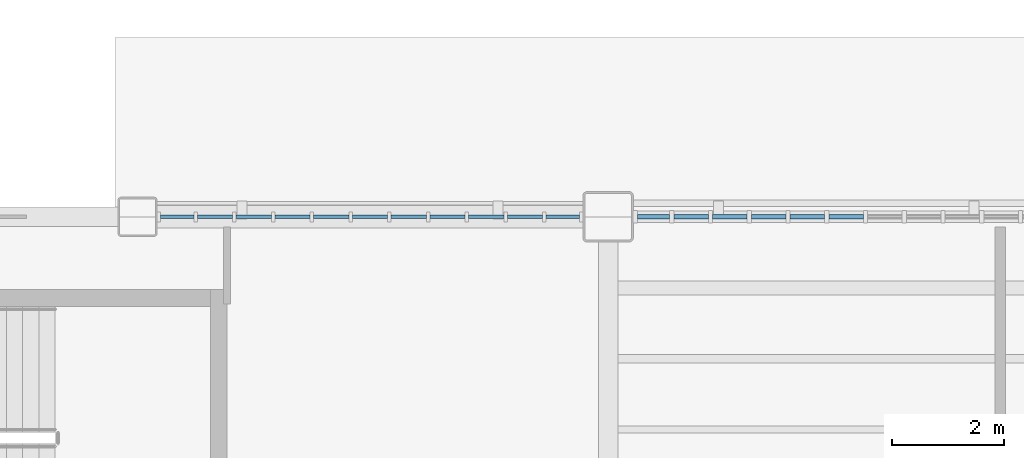
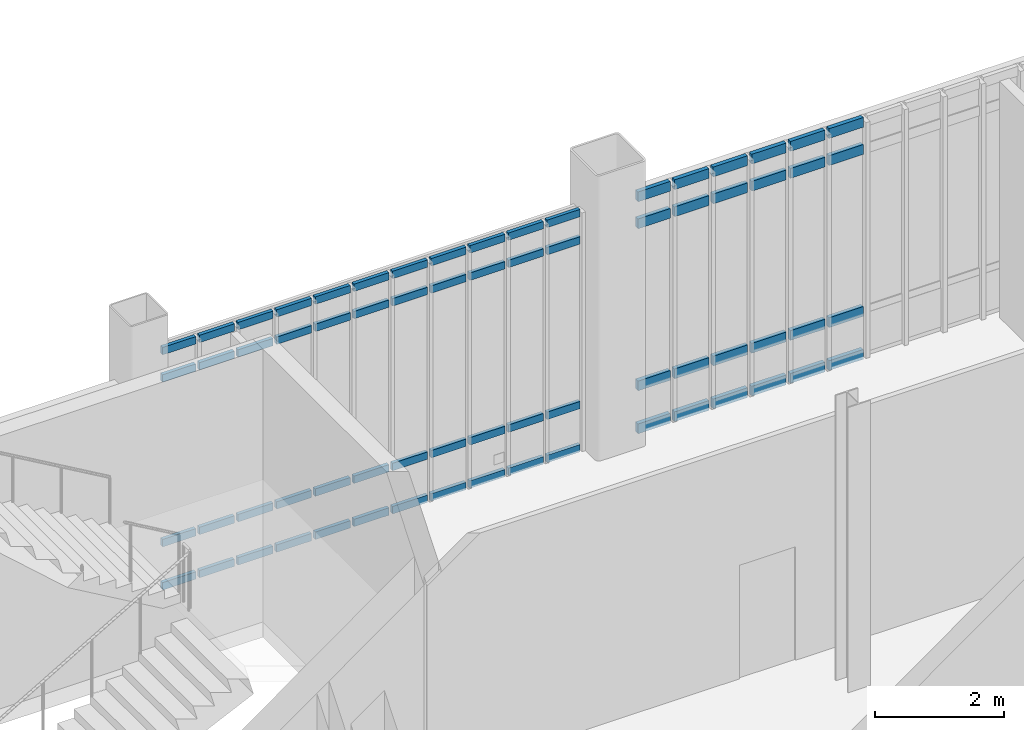
# One storey, part 43 of 111: 68 members, 2 elements without a shape of their own.
"""IFC4 building model written with IfcOpenShell, lengths in metres."""

from ifc_helpers import new_model, si_unit, direction, frame, origin, origin_2d, place, context, subcontext, project, spatial, rectangle, extrude, material, material_profile, profile_set, type_object, element, aggregate, save


model = new_model("IFC4")

# Units and contexts
model_context = context("Model", 3, precision=1e-05, world=origin(), true_north=direction((0.0, 1.0)))
body_context = subcontext(model_context, "Body", "Model", "MODEL_VIEW")
ifc_project = project(units=[si_unit("LENGTHUNIT", "METRE"), si_unit("AREAUNIT", "SQUARE_METRE"), si_unit("VOLUMEUNIT", "CUBIC_METRE"), si_unit("PLANEANGLEUNIT", "RADIAN"), si_unit("MASSUNIT", "GRAM", prefix="KILO")], contexts=[model_context])

# Site, building, storey
site_placement = place(None, origin())
site = spatial("IfcSite", under=ifc_project, at=site_placement, CompositionType="ELEMENT")
building_placement = place(site_placement, origin())
building = spatial("IfcBuilding", under=site, at=building_placement, Name="Larkvane Passage Sports Hall", CompositionType="ELEMENT")
storey_placement = place(building_placement, origin())
storey = spatial("IfcBuildingStorey", under=building, at=storey_placement, Name="L00", CompositionType="ELEMENT", Elevation=0.0)

# Curtain wall, members
ifc_material_1 = material(Name="Thermally broken aluminium and low-E glazing", Category="aluminium")
curtain_wall_type_1 = type_object("IfcCurtainWallType", Name="CW-UNIT-COURT", PredefinedType="USERDEFINED", material=ifc_material_1)
curtain_wall_1_placement = place(storey_placement, origin())
curtain_wall_1 = element("IfcCurtainWall", 1, at=curtain_wall_1_placement, inside=storey, type_object=curtain_wall_type_1, Name="Curtain wall CW5-L00-008", ObjectType="UNITISED CURTAIN WALL", PredefinedType="USERDEFINED")
ifc_material_2 = material(Name="Anodised aluminium 6063-T6", Category="aluminium")
ifc_material_profile_1 = material_profile(ifc_material_2, rectangle(XDim=0.06494140625, YDim=0.139892578125, at=origin_2d()), Name="ALU-TRN-65x140")
ifc_profile_set_1 = profile_set([ifc_material_profile_1], Name="Anodised aluminium 6063-T6")
member_type_1 = type_object("IfcMemberType", Name="CW-TRN-65x140", PredefinedType="USERDEFINED", material=ifc_profile_set_1)
member_1_placement = place(storey_placement, frame((43.611083984375, 91.60009765625, 0.032470703125), z_axis=(1.0, 0.0, 0.0), x_axis=(0.0, 1.0, 0.0)))
member_1 = element("IfcMember", 2, at=member_1_placement, type_object=member_type_1, Name="CW-01 transom 1.1", ObjectType="TRANSOM", PredefinedType="USERDEFINED", context=body_context, shape_type="SweptSolid", body=[
    extrude(rectangle(XDim=0.06494140625, YDim=0.139892578125, at=origin_2d()), origin(), (0.0, 0.0, 1.0), 0.593994140625),
])
member_2_placement = place(storey_placement, frame((43.611083984375, 91.60009765625, 0.85009765625), z_axis=(1.0, 0.0, 0.0), x_axis=(0.0, 1.0, 0.0)))
member_2 = element("IfcMember", 3, at=member_2_placement, type_object=member_type_1, Name="CW-01 transom 1.2", ObjectType="TRANSOM", PredefinedType="USERDEFINED", context=body_context, shape_type="SweptSolid", body=[
    extrude(rectangle(XDim=0.06494140625, YDim=0.139892578125, at=origin_2d()), origin(), (0.0, 0.0, 1.0), 0.593994140625),
])
member_3_placement = place(storey_placement, frame((43.611083984375, 91.60009765625, 3.968017578125), z_axis=(1.0, 0.0, 0.0), x_axis=(0.0, 1.0, 0.0)))
member_3 = element("IfcMember", 4, at=member_3_placement, type_object=member_type_1, Name="CW-01 transom 1.3", ObjectType="TRANSOM", PredefinedType="USERDEFINED", context=body_context, shape_type="SweptSolid", body=[
    extrude(rectangle(XDim=0.06494140625, YDim=0.139892578125, at=origin_2d()), origin(), (0.0, 0.0, 1.0), 0.593994140625),
])
member_4_placement = place(storey_placement, frame((43.611083984375, 91.60009765625, 4.485595703125), z_axis=(1.0, 0.0, 0.0), x_axis=(0.0, 1.0, 0.0)))
member_4 = element("IfcMember", 5, at=member_4_placement, type_object=member_type_1, Name="CW-01 transom 1.4", ObjectType="TRANSOM", PredefinedType="USERDEFINED", context=body_context, shape_type="SweptSolid", body=[
    extrude(rectangle(XDim=0.06494140625, YDim=0.139892578125, at=origin_2d()), origin(), (0.0, 0.0, 1.0), 0.593994140625),
])
member_5_placement = place(storey_placement, frame((44.27001953125, 91.60009765625, 0.032470703125), z_axis=(1.0, 0.0, 0.0), x_axis=(0.0, 1.0, 0.0)))
member_5 = element("IfcMember", 6, at=member_5_placement, type_object=member_type_1, Name="CW-01 transom 2.1", ObjectType="TRANSOM", PredefinedType="USERDEFINED", context=body_context, shape_type="SweptSolid", body=[
    extrude(rectangle(XDim=0.06494140625, YDim=0.139892578125, at=origin_2d()), origin(), (0.0, 0.0, 1.0), 0.626708984375),
])
member_6_placement = place(storey_placement, frame((44.27001953125, 91.60009765625, 0.85009765625), z_axis=(1.0, 0.0, 0.0), x_axis=(0.0, 1.0, 0.0)))
member_6 = element("IfcMember", 7, at=member_6_placement, type_object=member_type_1, Name="CW-01 transom 2.2", ObjectType="TRANSOM", PredefinedType="USERDEFINED", context=body_context, shape_type="SweptSolid", body=[
    extrude(rectangle(XDim=0.06494140625, YDim=0.139892578125, at=origin_2d()), origin(), (0.0, 0.0, 1.0), 0.626708984375),
])
member_7_placement = place(storey_placement, frame((44.27001953125, 91.60009765625, 3.968017578125), z_axis=(1.0, 0.0, 0.0), x_axis=(0.0, 1.0, 0.0)))
member_7 = element("IfcMember", 8, at=member_7_placement, type_object=member_type_1, Name="CW-01 transom 2.3", ObjectType="TRANSOM", PredefinedType="USERDEFINED", context=body_context, shape_type="SweptSolid", body=[
    extrude(rectangle(XDim=0.06494140625, YDim=0.139892578125, at=origin_2d()), origin(), (0.0, 0.0, 1.0), 0.626708984375),
])
member_8_placement = place(storey_placement, frame((44.27001953125, 91.60009765625, 4.485595703125), z_axis=(1.0, 0.0, 0.0), x_axis=(0.0, 1.0, 0.0)))
member_8 = element("IfcMember", 9, at=member_8_placement, type_object=member_type_1, Name="CW-01 transom 2.4", ObjectType="TRANSOM", PredefinedType="USERDEFINED", context=body_context, shape_type="SweptSolid", body=[
    extrude(rectangle(XDim=0.06494140625, YDim=0.139892578125, at=origin_2d()), origin(), (0.0, 0.0, 1.0), 0.626708984375),
])
member_9_placement = place(storey_placement, frame((44.961669921875, 91.60009765625, 0.032470703125), z_axis=(1.0, 0.0, 0.0), x_axis=(0.0, 1.0, 0.0)))
member_9 = element("IfcMember", 10, at=member_9_placement, type_object=member_type_1, Name="CW-01 transom 3.1", ObjectType="TRANSOM", PredefinedType="USERDEFINED", context=body_context, shape_type="SweptSolid", body=[
    extrude(rectangle(XDim=0.06494140625, YDim=0.139892578125, at=origin_2d()), origin(), (0.0, 0.0, 1.0), 0.626708984375),
])
member_10_placement = place(storey_placement, frame((44.961669921875, 91.60009765625, 0.85009765625), z_axis=(1.0, 0.0, 0.0), x_axis=(0.0, 1.0, 0.0)))
member_10 = element("IfcMember", 11, at=member_10_placement, type_object=member_type_1, Name="CW-01 transom 3.2", ObjectType="TRANSOM", PredefinedType="USERDEFINED", context=body_context, shape_type="SweptSolid", body=[
    extrude(rectangle(XDim=0.06494140625, YDim=0.139892578125, at=origin_2d()), origin(), (0.0, 0.0, 1.0), 0.626708984375),
])
member_11_placement = place(storey_placement, frame((44.961669921875, 91.60009765625, 3.968017578125), z_axis=(1.0, 0.0, 0.0), x_axis=(0.0, 1.0, 0.0)))
member_11 = element("IfcMember", 12, at=member_11_placement, type_object=member_type_1, Name="CW-01 transom 3.3", ObjectType="TRANSOM", PredefinedType="USERDEFINED", context=body_context, shape_type="SweptSolid", body=[
    extrude(rectangle(XDim=0.06494140625, YDim=0.139892578125, at=origin_2d()), origin(), (0.0, 0.0, 1.0), 0.626708984375),
])
member_12_placement = place(storey_placement, frame((44.961669921875, 91.60009765625, 4.485595703125), z_axis=(1.0, 0.0, 0.0), x_axis=(0.0, 1.0, 0.0)))
member_12 = element("IfcMember", 13, at=member_12_placement, type_object=member_type_1, Name="CW-01 transom 3.4", ObjectType="TRANSOM", PredefinedType="USERDEFINED", context=body_context, shape_type="SweptSolid", body=[
    extrude(rectangle(XDim=0.06494140625, YDim=0.139892578125, at=origin_2d()), origin(), (0.0, 0.0, 1.0), 0.626708984375),
])
member_13_placement = place(storey_placement, frame((45.6533203125, 91.60009765625, 0.032470703125), z_axis=(1.0, 0.0, 0.0), x_axis=(0.0, 1.0, 0.0)))
member_13 = element("IfcMember", 14, at=member_13_placement, type_object=member_type_1, Name="CW-01 transom 4.1", ObjectType="TRANSOM", PredefinedType="USERDEFINED", context=body_context, shape_type="SweptSolid", body=[
    extrude(rectangle(XDim=0.06494140625, YDim=0.139892578125, at=origin_2d()), origin(), (0.0, 0.0, 1.0), 0.626708984375),
])
member_14_placement = place(storey_placement, frame((45.6533203125, 91.60009765625, 0.85009765625), z_axis=(1.0, 0.0, 0.0), x_axis=(0.0, 1.0, 0.0)))
member_14 = element("IfcMember", 15, at=member_14_placement, type_object=member_type_1, Name="CW-01 transom 4.2", ObjectType="TRANSOM", PredefinedType="USERDEFINED", context=body_context, shape_type="SweptSolid", body=[
    extrude(rectangle(XDim=0.06494140625, YDim=0.139892578125, at=origin_2d()), origin(), (0.0, 0.0, 1.0), 0.626708984375),
])
member_15_placement = place(storey_placement, frame((45.6533203125, 91.60009765625, 3.968017578125), z_axis=(1.0, 0.0, 0.0), x_axis=(0.0, 1.0, 0.0)))
member_15 = element("IfcMember", 16, at=member_15_placement, type_object=member_type_1, Name="CW-01 transom 4.3", ObjectType="TRANSOM", PredefinedType="USERDEFINED", context=body_context, shape_type="SweptSolid", body=[
    extrude(rectangle(XDim=0.06494140625, YDim=0.139892578125, at=origin_2d()), origin(), (0.0, 0.0, 1.0), 0.626708984375),
])
member_16_placement = place(storey_placement, frame((45.6533203125, 91.60009765625, 4.485595703125), z_axis=(1.0, 0.0, 0.0), x_axis=(0.0, 1.0, 0.0)))
member_16 = element("IfcMember", 17, at=member_16_placement, type_object=member_type_1, Name="CW-01 transom 4.4", ObjectType="TRANSOM", PredefinedType="USERDEFINED", context=body_context, shape_type="SweptSolid", body=[
    extrude(rectangle(XDim=0.06494140625, YDim=0.139892578125, at=origin_2d()), origin(), (0.0, 0.0, 1.0), 0.626708984375),
])
member_17_placement = place(storey_placement, frame((46.344970703125, 91.60009765625, 0.032470703125), z_axis=(1.0, 0.0, 0.0), x_axis=(0.0, 1.0, 0.0)))
member_17 = element("IfcMember", 18, at=member_17_placement, type_object=member_type_1, Name="CW-01 transom 5.1", ObjectType="TRANSOM", PredefinedType="USERDEFINED", context=body_context, shape_type="SweptSolid", body=[
    extrude(rectangle(XDim=0.06494140625, YDim=0.139892578125, at=origin_2d()), origin(), (0.0, 0.0, 1.0), 0.626708984375),
])
member_18_placement = place(storey_placement, frame((46.344970703125, 91.60009765625, 0.85009765625), z_axis=(1.0, 0.0, 0.0), x_axis=(0.0, 1.0, 0.0)))
member_18 = element("IfcMember", 19, at=member_18_placement, type_object=member_type_1, Name="CW-01 transom 5.2", ObjectType="TRANSOM", PredefinedType="USERDEFINED", context=body_context, shape_type="SweptSolid", body=[
    extrude(rectangle(XDim=0.06494140625, YDim=0.139892578125, at=origin_2d()), origin(), (0.0, 0.0, 1.0), 0.626708984375),
])
member_19_placement = place(storey_placement, frame((46.344970703125, 91.60009765625, 3.968017578125), z_axis=(1.0, 0.0, 0.0), x_axis=(0.0, 1.0, 0.0)))
member_19 = element("IfcMember", 20, at=member_19_placement, type_object=member_type_1, Name="CW-01 transom 5.3", ObjectType="TRANSOM", PredefinedType="USERDEFINED", context=body_context, shape_type="SweptSolid", body=[
    extrude(rectangle(XDim=0.06494140625, YDim=0.139892578125, at=origin_2d()), origin(), (0.0, 0.0, 1.0), 0.626708984375),
])
member_20_placement = place(storey_placement, frame((46.344970703125, 91.60009765625, 4.485595703125), z_axis=(1.0, 0.0, 0.0), x_axis=(0.0, 1.0, 0.0)))
member_20 = element("IfcMember", 21, at=member_20_placement, type_object=member_type_1, Name="CW-01 transom 5.4", ObjectType="TRANSOM", PredefinedType="USERDEFINED", context=body_context, shape_type="SweptSolid", body=[
    extrude(rectangle(XDim=0.06494140625, YDim=0.139892578125, at=origin_2d()), origin(), (0.0, 0.0, 1.0), 0.626708984375),
])
member_21_placement = place(storey_placement, frame((47.03662109375, 91.60009765625, 0.032470703125), z_axis=(1.0, 0.0, 0.0), x_axis=(0.0, 1.0, 0.0)))
member_21 = element("IfcMember", 22, at=member_21_placement, type_object=member_type_1, Name="CW-01 transom 6.1", ObjectType="TRANSOM", PredefinedType="USERDEFINED", context=body_context, shape_type="SweptSolid", body=[
    extrude(rectangle(XDim=0.06494140625, YDim=0.139892578125, at=origin_2d()), origin(), (0.0, 0.0, 1.0), 0.626708984375),
])
member_22_placement = place(storey_placement, frame((47.03662109375, 91.60009765625, 0.85009765625), z_axis=(1.0, 0.0, 0.0), x_axis=(0.0, 1.0, 0.0)))
member_22 = element("IfcMember", 23, at=member_22_placement, type_object=member_type_1, Name="CW-01 transom 6.2", ObjectType="TRANSOM", PredefinedType="USERDEFINED", context=body_context, shape_type="SweptSolid", body=[
    extrude(rectangle(XDim=0.06494140625, YDim=0.139892578125, at=origin_2d()), origin(), (0.0, 0.0, 1.0), 0.626708984375),
])
member_23_placement = place(storey_placement, frame((47.03662109375, 91.60009765625, 3.968017578125), z_axis=(1.0, 0.0, 0.0), x_axis=(0.0, 1.0, 0.0)))
member_23 = element("IfcMember", 24, at=member_23_placement, type_object=member_type_1, Name="CW-01 transom 6.3", ObjectType="TRANSOM", PredefinedType="USERDEFINED", context=body_context, shape_type="SweptSolid", body=[
    extrude(rectangle(XDim=0.06494140625, YDim=0.139892578125, at=origin_2d()), origin(), (0.0, 0.0, 1.0), 0.626708984375),
])
member_24_placement = place(storey_placement, frame((47.03662109375, 91.60009765625, 4.485595703125), z_axis=(1.0, 0.0, 0.0), x_axis=(0.0, 1.0, 0.0)))
member_24 = element("IfcMember", 25, at=member_24_placement, type_object=member_type_1, Name="CW-01 transom 6.4", ObjectType="TRANSOM", PredefinedType="USERDEFINED", context=body_context, shape_type="SweptSolid", body=[
    extrude(rectangle(XDim=0.06494140625, YDim=0.139892578125, at=origin_2d()), origin(), (0.0, 0.0, 1.0), 0.626708984375),
])
member_25_placement = place(storey_placement, frame((47.728271484375, 91.60009765625, 0.032470703125), z_axis=(1.0, 0.0, 0.0), x_axis=(0.0, 1.0, 0.0)))
member_25 = element("IfcMember", 26, at=member_25_placement, type_object=member_type_1, Name="CW-01 transom 7.1", ObjectType="TRANSOM", PredefinedType="USERDEFINED", context=body_context, shape_type="SweptSolid", body=[
    extrude(rectangle(XDim=0.06494140625, YDim=0.139892578125, at=origin_2d()), origin(), (0.0, 0.0, 1.0), 0.626708984375),
])
member_26_placement = place(storey_placement, frame((47.728271484375, 91.60009765625, 0.85009765625), z_axis=(1.0, 0.0, 0.0), x_axis=(0.0, 1.0, 0.0)))
member_26 = element("IfcMember", 27, at=member_26_placement, type_object=member_type_1, Name="CW-01 transom 7.2", ObjectType="TRANSOM", PredefinedType="USERDEFINED", context=body_context, shape_type="SweptSolid", body=[
    extrude(rectangle(XDim=0.06494140625, YDim=0.139892578125, at=origin_2d()), origin(), (0.0, 0.0, 1.0), 0.626708984375),
])
member_27_placement = place(storey_placement, frame((47.728271484375, 91.60009765625, 3.968017578125), z_axis=(1.0, 0.0, 0.0), x_axis=(0.0, 1.0, 0.0)))
member_27 = element("IfcMember", 28, at=member_27_placement, type_object=member_type_1, Name="CW-01 transom 7.3", ObjectType="TRANSOM", PredefinedType="USERDEFINED", context=body_context, shape_type="SweptSolid", body=[
    extrude(rectangle(XDim=0.06494140625, YDim=0.139892578125, at=origin_2d()), origin(), (0.0, 0.0, 1.0), 0.626708984375),
])
member_28_placement = place(storey_placement, frame((47.728271484375, 91.60009765625, 4.485595703125), z_axis=(1.0, 0.0, 0.0), x_axis=(0.0, 1.0, 0.0)))
member_28 = element("IfcMember", 29, at=member_28_placement, type_object=member_type_1, Name="CW-01 transom 7.4", ObjectType="TRANSOM", PredefinedType="USERDEFINED", context=body_context, shape_type="SweptSolid", body=[
    extrude(rectangle(XDim=0.06494140625, YDim=0.139892578125, at=origin_2d()), origin(), (0.0, 0.0, 1.0), 0.626708984375),
])
member_29_placement = place(storey_placement, frame((48.419921875, 91.60009765625, 0.032470703125), z_axis=(1.0, 0.0, 0.0), x_axis=(0.0, 1.0, 0.0)))
member_29 = element("IfcMember", 30, at=member_29_placement, type_object=member_type_1, Name="CW-01 transom 8.1", ObjectType="TRANSOM", PredefinedType="USERDEFINED", context=body_context, shape_type="SweptSolid", body=[
    extrude(rectangle(XDim=0.06494140625, YDim=0.139892578125, at=origin_2d()), origin(), (0.0, 0.0, 1.0), 0.626708984375),
])
member_30_placement = place(storey_placement, frame((48.419921875, 91.60009765625, 0.85009765625), z_axis=(1.0, 0.0, 0.0), x_axis=(0.0, 1.0, 0.0)))
member_30 = element("IfcMember", 31, at=member_30_placement, type_object=member_type_1, Name="CW-01 transom 8.2", ObjectType="TRANSOM", PredefinedType="USERDEFINED", context=body_context, shape_type="SweptSolid", body=[
    extrude(rectangle(XDim=0.06494140625, YDim=0.139892578125, at=origin_2d()), origin(), (0.0, 0.0, 1.0), 0.626708984375),
])
member_31_placement = place(storey_placement, frame((48.419921875, 91.60009765625, 3.968017578125), z_axis=(1.0, 0.0, 0.0), x_axis=(0.0, 1.0, 0.0)))
member_31 = element("IfcMember", 32, at=member_31_placement, type_object=member_type_1, Name="CW-01 transom 8.3", ObjectType="TRANSOM", PredefinedType="USERDEFINED", context=body_context, shape_type="SweptSolid", body=[
    extrude(rectangle(XDim=0.06494140625, YDim=0.139892578125, at=origin_2d()), origin(), (0.0, 0.0, 1.0), 0.626708984375),
])
member_32_placement = place(storey_placement, frame((48.419921875, 91.60009765625, 4.485595703125), z_axis=(1.0, 0.0, 0.0), x_axis=(0.0, 1.0, 0.0)))
member_32 = element("IfcMember", 33, at=member_32_placement, type_object=member_type_1, Name="CW-01 transom 8.4", ObjectType="TRANSOM", PredefinedType="USERDEFINED", context=body_context, shape_type="SweptSolid", body=[
    extrude(rectangle(XDim=0.06494140625, YDim=0.139892578125, at=origin_2d()), origin(), (0.0, 0.0, 1.0), 0.626708984375),
])
member_33_placement = place(storey_placement, frame((49.111572265625, 91.60009765625, 0.032470703125), z_axis=(1.0, 0.0, 0.0), x_axis=(0.0, 1.0, 0.0)))
member_33 = element("IfcMember", 34, at=member_33_placement, type_object=member_type_1, Name="CW-01 transom 9.1", ObjectType="TRANSOM", PredefinedType="USERDEFINED", context=body_context, shape_type="SweptSolid", body=[
    extrude(rectangle(XDim=0.06494140625, YDim=0.139892578125, at=origin_2d()), origin(), (0.0, 0.0, 1.0), 0.626708984375),
])
member_34_placement = place(storey_placement, frame((49.111572265625, 91.60009765625, 0.85009765625), z_axis=(1.0, 0.0, 0.0), x_axis=(0.0, 1.0, 0.0)))
member_34 = element("IfcMember", 35, at=member_34_placement, type_object=member_type_1, Name="CW-01 transom 9.2", ObjectType="TRANSOM", PredefinedType="USERDEFINED", context=body_context, shape_type="SweptSolid", body=[
    extrude(rectangle(XDim=0.06494140625, YDim=0.139892578125, at=origin_2d()), origin(), (0.0, 0.0, 1.0), 0.626708984375),
])
member_35_placement = place(storey_placement, frame((49.111572265625, 91.60009765625, 3.968017578125), z_axis=(1.0, 0.0, 0.0), x_axis=(0.0, 1.0, 0.0)))
member_35 = element("IfcMember", 36, at=member_35_placement, type_object=member_type_1, Name="CW-01 transom 9.3", ObjectType="TRANSOM", PredefinedType="USERDEFINED", context=body_context, shape_type="SweptSolid", body=[
    extrude(rectangle(XDim=0.06494140625, YDim=0.139892578125, at=origin_2d()), origin(), (0.0, 0.0, 1.0), 0.626708984375),
])
member_36_placement = place(storey_placement, frame((49.111572265625, 91.60009765625, 4.485595703125), z_axis=(1.0, 0.0, 0.0), x_axis=(0.0, 1.0, 0.0)))
member_36 = element("IfcMember", 37, at=member_36_placement, type_object=member_type_1, Name="CW-01 transom 9.4", ObjectType="TRANSOM", PredefinedType="USERDEFINED", context=body_context, shape_type="SweptSolid", body=[
    extrude(rectangle(XDim=0.06494140625, YDim=0.139892578125, at=origin_2d()), origin(), (0.0, 0.0, 1.0), 0.626708984375),
])
member_37_placement = place(storey_placement, frame((49.80322265625, 91.60009765625, 0.032470703125), z_axis=(1.0, 0.0, 0.0), x_axis=(0.0, 1.0, 0.0)))
member_37 = element("IfcMember", 38, at=member_37_placement, type_object=member_type_1, Name="CW-01 transom 10.1", ObjectType="TRANSOM", PredefinedType="USERDEFINED", context=body_context, shape_type="SweptSolid", body=[
    extrude(rectangle(XDim=0.06494140625, YDim=0.139892578125, at=origin_2d()), origin(), (0.0, 0.0, 1.0), 0.626708984375),
])
member_38_placement = place(storey_placement, frame((49.80322265625, 91.60009765625, 0.85009765625), z_axis=(1.0, 0.0, 0.0), x_axis=(0.0, 1.0, 0.0)))
member_38 = element("IfcMember", 39, at=member_38_placement, type_object=member_type_1, Name="CW-01 transom 10.2", ObjectType="TRANSOM", PredefinedType="USERDEFINED", context=body_context, shape_type="SweptSolid", body=[
    extrude(rectangle(XDim=0.06494140625, YDim=0.139892578125, at=origin_2d()), origin(), (0.0, 0.0, 1.0), 0.626708984375),
])
member_39_placement = place(storey_placement, frame((49.80322265625, 91.60009765625, 3.968017578125), z_axis=(1.0, 0.0, 0.0), x_axis=(0.0, 1.0, 0.0)))
member_39 = element("IfcMember", 40, at=member_39_placement, type_object=member_type_1, Name="CW-01 transom 10.3", ObjectType="TRANSOM", PredefinedType="USERDEFINED", context=body_context, shape_type="SweptSolid", body=[
    extrude(rectangle(XDim=0.06494140625, YDim=0.139892578125, at=origin_2d()), origin(), (0.0, 0.0, 1.0), 0.626708984375),
])
member_40_placement = place(storey_placement, frame((49.80322265625, 91.60009765625, 4.485595703125), z_axis=(1.0, 0.0, 0.0), x_axis=(0.0, 1.0, 0.0)))
member_40 = element("IfcMember", 41, at=member_40_placement, type_object=member_type_1, Name="CW-01 transom 10.4", ObjectType="TRANSOM", PredefinedType="USERDEFINED", context=body_context, shape_type="SweptSolid", body=[
    extrude(rectangle(XDim=0.06494140625, YDim=0.139892578125, at=origin_2d()), origin(), (0.0, 0.0, 1.0), 0.626708984375),
])
member_41_placement = place(storey_placement, frame((50.494873046875, 91.60009765625, 0.032470703125), z_axis=(1.0, 0.0, 0.0), x_axis=(0.0, 1.0, 0.0)))
member_41 = element("IfcMember", 42, at=member_41_placement, type_object=member_type_1, Name="CW-01 transom 11.1", ObjectType="TRANSOM", PredefinedType="USERDEFINED", context=body_context, shape_type="SweptSolid", body=[
    extrude(rectangle(XDim=0.06494140625, YDim=0.139892578125, at=origin_2d()), origin(), (0.0, 0.0, 1.0), 0.59423828125),
])
member_42_placement = place(storey_placement, frame((50.494873046875, 91.60009765625, 0.85009765625), z_axis=(1.0, 0.0, 0.0), x_axis=(0.0, 1.0, 0.0)))
member_42 = element("IfcMember", 43, at=member_42_placement, type_object=member_type_1, Name="CW-01 transom 11.2", ObjectType="TRANSOM", PredefinedType="USERDEFINED", context=body_context, shape_type="SweptSolid", body=[
    extrude(rectangle(XDim=0.06494140625, YDim=0.139892578125, at=origin_2d()), origin(), (0.0, 0.0, 1.0), 0.59423828125),
])
member_43_placement = place(storey_placement, frame((50.494873046875, 91.60009765625, 3.968017578125), z_axis=(1.0, 0.0, 0.0), x_axis=(0.0, 1.0, 0.0)))
member_43 = element("IfcMember", 44, at=member_43_placement, type_object=member_type_1, Name="CW-01 transom 11.3", ObjectType="TRANSOM", PredefinedType="USERDEFINED", context=body_context, shape_type="SweptSolid", body=[
    extrude(rectangle(XDim=0.06494140625, YDim=0.139892578125, at=origin_2d()), origin(), (0.0, 0.0, 1.0), 0.59423828125),
])
member_44_placement = place(storey_placement, frame((50.494873046875, 91.60009765625, 4.485595703125), z_axis=(1.0, 0.0, 0.0), x_axis=(0.0, 1.0, 0.0)))
member_44 = element("IfcMember", 45, at=member_44_placement, type_object=member_type_1, Name="CW-01 transom 11.4", ObjectType="TRANSOM", PredefinedType="USERDEFINED", context=body_context, shape_type="SweptSolid", body=[
    extrude(rectangle(XDim=0.06494140625, YDim=0.139892578125, at=origin_2d()), origin(), (0.0, 0.0, 1.0), 0.59423828125),
])
aggregate(curtain_wall_1, [member_1, member_2, member_3, member_4, member_5, member_6, member_7, member_8, member_9, member_10, member_11, member_12, member_13, member_14, member_15, member_16, member_17, member_18, member_19, member_20, member_21, member_22, member_23, member_24, member_25, member_26, member_27, member_28, member_29, member_30, member_31, member_32, member_33, member_34, member_35, member_36, member_37, member_38, member_39, member_40, member_41, member_42, member_43, member_44])

curtain_wall_type_2 = type_object("IfcCurtainWallType", Name="CW-UNIT-VEIL", PredefinedType="USERDEFINED", material=ifc_material_1)
curtain_wall_2_placement = place(storey_placement, origin())
curtain_wall_2 = element("IfcCurtainWall", 46, at=curtain_wall_2_placement, inside=storey, type_object=curtain_wall_type_2, Name="Curtain wall CW5-L00-009", ObjectType="UNITISED CURTAIN WALL", PredefinedType="USERDEFINED")
ifc_material_profile_2 = material_profile(ifc_material_2, rectangle(XDim=0.074951171875, YDim=0.18505859375, at=origin_2d()), Name="ALU-TRN-75x185")
ifc_profile_set_2 = profile_set([ifc_material_profile_2], Name="Anodised aluminium 6063-T6")
member_type_2 = type_object("IfcMemberType", Name="CW-TRN-75x185", PredefinedType="USERDEFINED", material=ifc_profile_set_2)
member_45_placement = place(storey_placement, frame((52.12109375, 91.60009765625, 0.03759765625), z_axis=(1.0, 0.0, 0.0), x_axis=(0.0, 1.0, 0.0)))
member_45 = element("IfcMember", 47, at=member_45_placement, type_object=member_type_2, Name="CW-02 transom 1.1", ObjectType="TRANSOM", PredefinedType="USERDEFINED", context=body_context, shape_type="SweptSolid", body=[
    extrude(rectangle(XDim=0.074951171875, YDim=0.18505859375, at=origin_2d()), origin(), (0.0, 0.0, 1.0), 0.5791015625),
])
member_46_placement = place(storey_placement, frame((52.12109375, 91.60009765625, 0.85009765625), z_axis=(1.0, 0.0, 0.0), x_axis=(0.0, 1.0, 0.0)))
member_46 = element("IfcMember", 48, at=member_46_placement, type_object=member_type_2, Name="CW-02 transom 1.2", ObjectType="TRANSOM", PredefinedType="USERDEFINED", context=body_context, shape_type="SweptSolid", body=[
    extrude(rectangle(XDim=0.074951171875, YDim=0.18505859375, at=origin_2d()), origin(), (0.0, 0.0, 1.0), 0.5791015625),
])
member_47_placement = place(storey_placement, frame((52.12109375, 91.60009765625, 3.91796875), z_axis=(1.0, 0.0, 0.0), x_axis=(0.0, 1.0, 0.0)))
member_47 = element("IfcMember", 49, at=member_47_placement, type_object=member_type_2, Name="CW-02 transom 1.3", ObjectType="TRANSOM", PredefinedType="USERDEFINED", context=body_context, shape_type="SweptSolid", body=[
    extrude(rectangle(XDim=0.074951171875, YDim=0.18505859375, at=origin_2d()), origin(), (0.0, 0.0, 1.0), 0.5791015625),
])
member_48_placement = place(storey_placement, frame((52.12109375, 91.60009765625, 4.430419921875), z_axis=(1.0, 0.0, 0.0), x_axis=(0.0, 1.0, 0.0)))
member_48 = element("IfcMember", 50, at=member_48_placement, type_object=member_type_2, Name="CW-02 transom 1.4", ObjectType="TRANSOM", PredefinedType="USERDEFINED", context=body_context, shape_type="SweptSolid", body=[
    extrude(rectangle(XDim=0.074951171875, YDim=0.18505859375, at=origin_2d()), origin(), (0.0, 0.0, 1.0), 0.5791015625),
])
member_49_placement = place(storey_placement, frame((52.775146484375, 91.60009765625, 0.03759765625), z_axis=(1.0, 0.0, 0.0), x_axis=(0.0, 1.0, 0.0)))
member_49 = element("IfcMember", 51, at=member_49_placement, type_object=member_type_2, Name="CW-02 transom 2.1", ObjectType="TRANSOM", PredefinedType="USERDEFINED", context=body_context, shape_type="SweptSolid", body=[
    extrude(rectangle(XDim=0.074951171875, YDim=0.18505859375, at=origin_2d()), origin(), (0.0, 0.0, 1.0), 0.61669921875),
])
member_50_placement = place(storey_placement, frame((52.775146484375, 91.60009765625, 0.85009765625), z_axis=(1.0, 0.0, 0.0), x_axis=(0.0, 1.0, 0.0)))
member_50 = element("IfcMember", 52, at=member_50_placement, type_object=member_type_2, Name="CW-02 transom 2.2", ObjectType="TRANSOM", PredefinedType="USERDEFINED", context=body_context, shape_type="SweptSolid", body=[
    extrude(rectangle(XDim=0.074951171875, YDim=0.18505859375, at=origin_2d()), origin(), (0.0, 0.0, 1.0), 0.61669921875),
])
member_51_placement = place(storey_placement, frame((52.775146484375, 91.60009765625, 3.91796875), z_axis=(1.0, 0.0, 0.0), x_axis=(0.0, 1.0, 0.0)))
member_51 = element("IfcMember", 53, at=member_51_placement, type_object=member_type_2, Name="CW-02 transom 2.3", ObjectType="TRANSOM", PredefinedType="USERDEFINED", context=body_context, shape_type="SweptSolid", body=[
    extrude(rectangle(XDim=0.074951171875, YDim=0.18505859375, at=origin_2d()), origin(), (0.0, 0.0, 1.0), 0.61669921875),
])
member_52_placement = place(storey_placement, frame((52.775146484375, 91.60009765625, 4.430419921875), z_axis=(1.0, 0.0, 0.0), x_axis=(0.0, 1.0, 0.0)))
member_52 = element("IfcMember", 54, at=member_52_placement, type_object=member_type_2, Name="CW-02 transom 2.4", ObjectType="TRANSOM", PredefinedType="USERDEFINED", context=body_context, shape_type="SweptSolid", body=[
    extrude(rectangle(XDim=0.074951171875, YDim=0.18505859375, at=origin_2d()), origin(), (0.0, 0.0, 1.0), 0.61669921875),
])
member_53_placement = place(storey_placement, frame((53.466796875, 91.60009765625, 0.03759765625), z_axis=(1.0, 0.0, 0.0), x_axis=(0.0, 1.0, 0.0)))
member_53 = element("IfcMember", 55, at=member_53_placement, type_object=member_type_2, Name="CW-02 transom 3.1", ObjectType="TRANSOM", PredefinedType="USERDEFINED", context=body_context, shape_type="SweptSolid", body=[
    extrude(rectangle(XDim=0.074951171875, YDim=0.18505859375, at=origin_2d()), origin(), (0.0, 0.0, 1.0), 0.61669921875),
])
member_54_placement = place(storey_placement, frame((53.466796875, 91.60009765625, 0.85009765625), z_axis=(1.0, 0.0, 0.0), x_axis=(0.0, 1.0, 0.0)))
member_54 = element("IfcMember", 56, at=member_54_placement, type_object=member_type_2, Name="CW-02 transom 3.2", ObjectType="TRANSOM", PredefinedType="USERDEFINED", context=body_context, shape_type="SweptSolid", body=[
    extrude(rectangle(XDim=0.074951171875, YDim=0.18505859375, at=origin_2d()), origin(), (0.0, 0.0, 1.0), 0.61669921875),
])
member_55_placement = place(storey_placement, frame((53.466796875, 91.60009765625, 3.91796875), z_axis=(1.0, 0.0, 0.0), x_axis=(0.0, 1.0, 0.0)))
member_55 = element("IfcMember", 57, at=member_55_placement, type_object=member_type_2, Name="CW-02 transom 3.3", ObjectType="TRANSOM", PredefinedType="USERDEFINED", context=body_context, shape_type="SweptSolid", body=[
    extrude(rectangle(XDim=0.074951171875, YDim=0.18505859375, at=origin_2d()), origin(), (0.0, 0.0, 1.0), 0.61669921875),
])
member_56_placement = place(storey_placement, frame((53.466796875, 91.60009765625, 4.430419921875), z_axis=(1.0, 0.0, 0.0), x_axis=(0.0, 1.0, 0.0)))
member_56 = element("IfcMember", 58, at=member_56_placement, type_object=member_type_2, Name="CW-02 transom 3.4", ObjectType="TRANSOM", PredefinedType="USERDEFINED", context=body_context, shape_type="SweptSolid", body=[
    extrude(rectangle(XDim=0.074951171875, YDim=0.18505859375, at=origin_2d()), origin(), (0.0, 0.0, 1.0), 0.61669921875),
])
member_57_placement = place(storey_placement, frame((54.158447265625, 91.60009765625, 0.03759765625), z_axis=(1.0, 0.0, 0.0), x_axis=(0.0, 1.0, 0.0)))
member_57 = element("IfcMember", 59, at=member_57_placement, type_object=member_type_2, Name="CW-02 transom 4.1", ObjectType="TRANSOM", PredefinedType="USERDEFINED", context=body_context, shape_type="SweptSolid", body=[
    extrude(rectangle(XDim=0.074951171875, YDim=0.18505859375, at=origin_2d()), origin(), (0.0, 0.0, 1.0), 0.61669921875),
])
member_58_placement = place(storey_placement, frame((54.158447265625, 91.60009765625, 0.85009765625), z_axis=(1.0, 0.0, 0.0), x_axis=(0.0, 1.0, 0.0)))
member_58 = element("IfcMember", 60, at=member_58_placement, type_object=member_type_2, Name="CW-02 transom 4.2", ObjectType="TRANSOM", PredefinedType="USERDEFINED", context=body_context, shape_type="SweptSolid", body=[
    extrude(rectangle(XDim=0.074951171875, YDim=0.18505859375, at=origin_2d()), origin(), (0.0, 0.0, 1.0), 0.61669921875),
])
member_59_placement = place(storey_placement, frame((54.158447265625, 91.60009765625, 3.91796875), z_axis=(1.0, 0.0, 0.0), x_axis=(0.0, 1.0, 0.0)))
member_59 = element("IfcMember", 61, at=member_59_placement, type_object=member_type_2, Name="CW-02 transom 4.3", ObjectType="TRANSOM", PredefinedType="USERDEFINED", context=body_context, shape_type="SweptSolid", body=[
    extrude(rectangle(XDim=0.074951171875, YDim=0.18505859375, at=origin_2d()), origin(), (0.0, 0.0, 1.0), 0.61669921875),
])
member_60_placement = place(storey_placement, frame((54.158447265625, 91.60009765625, 4.430419921875), z_axis=(1.0, 0.0, 0.0), x_axis=(0.0, 1.0, 0.0)))
member_60 = element("IfcMember", 62, at=member_60_placement, type_object=member_type_2, Name="CW-02 transom 4.4", ObjectType="TRANSOM", PredefinedType="USERDEFINED", context=body_context, shape_type="SweptSolid", body=[
    extrude(rectangle(XDim=0.074951171875, YDim=0.18505859375, at=origin_2d()), origin(), (0.0, 0.0, 1.0), 0.61669921875),
])
member_61_placement = place(storey_placement, frame((54.85009765625, 91.60009765625, 0.03759765625), z_axis=(1.0, 0.0, 0.0), x_axis=(0.0, 1.0, 0.0)))
member_61 = element("IfcMember", 63, at=member_61_placement, type_object=member_type_2, Name="CW-02 transom 5.1", ObjectType="TRANSOM", PredefinedType="USERDEFINED", context=body_context, shape_type="SweptSolid", body=[
    extrude(rectangle(XDim=0.074951171875, YDim=0.18505859375, at=origin_2d()), origin(), (0.0, 0.0, 1.0), 0.61669921875),
])
member_62_placement = place(storey_placement, frame((54.85009765625, 91.60009765625, 0.85009765625), z_axis=(1.0, 0.0, 0.0), x_axis=(0.0, 1.0, 0.0)))
member_62 = element("IfcMember", 64, at=member_62_placement, type_object=member_type_2, Name="CW-02 transom 5.2", ObjectType="TRANSOM", PredefinedType="USERDEFINED", context=body_context, shape_type="SweptSolid", body=[
    extrude(rectangle(XDim=0.074951171875, YDim=0.18505859375, at=origin_2d()), origin(), (0.0, 0.0, 1.0), 0.61669921875),
])
member_63_placement = place(storey_placement, frame((54.85009765625, 91.60009765625, 3.91796875), z_axis=(1.0, 0.0, 0.0), x_axis=(0.0, 1.0, 0.0)))
member_63 = element("IfcMember", 65, at=member_63_placement, type_object=member_type_2, Name="CW-02 transom 5.3", ObjectType="TRANSOM", PredefinedType="USERDEFINED", context=body_context, shape_type="SweptSolid", body=[
    extrude(rectangle(XDim=0.074951171875, YDim=0.18505859375, at=origin_2d()), origin(), (0.0, 0.0, 1.0), 0.61669921875),
])
member_64_placement = place(storey_placement, frame((54.85009765625, 91.60009765625, 4.430419921875), z_axis=(1.0, 0.0, 0.0), x_axis=(0.0, 1.0, 0.0)))
member_64 = element("IfcMember", 66, at=member_64_placement, type_object=member_type_2, Name="CW-02 transom 5.4", ObjectType="TRANSOM", PredefinedType="USERDEFINED", context=body_context, shape_type="SweptSolid", body=[
    extrude(rectangle(XDim=0.074951171875, YDim=0.18505859375, at=origin_2d()), origin(), (0.0, 0.0, 1.0), 0.61669921875),
])
member_65_placement = place(storey_placement, frame((55.541748046875, 91.60009765625, 0.03759765625), z_axis=(1.0, 0.0, 0.0), x_axis=(0.0, 1.0, 0.0)))
member_65 = element("IfcMember", 67, at=member_65_placement, type_object=member_type_2, Name="CW-02 transom 6.1", ObjectType="TRANSOM", PredefinedType="USERDEFINED", context=body_context, shape_type="SweptSolid", body=[
    extrude(rectangle(XDim=0.074951171875, YDim=0.18505859375, at=origin_2d()), origin(), (0.0, 0.0, 1.0), 0.616455078125),
])
member_66_placement = place(storey_placement, frame((55.541748046875, 91.60009765625, 0.85009765625), z_axis=(1.0, 0.0, 0.0), x_axis=(0.0, 1.0, 0.0)))
member_66 = element("IfcMember", 68, at=member_66_placement, type_object=member_type_2, Name="CW-02 transom 6.2", ObjectType="TRANSOM", PredefinedType="USERDEFINED", context=body_context, shape_type="SweptSolid", body=[
    extrude(rectangle(XDim=0.074951171875, YDim=0.18505859375, at=origin_2d()), origin(), (0.0, 0.0, 1.0), 0.616455078125),
])
member_67_placement = place(storey_placement, frame((55.541748046875, 91.60009765625, 3.91796875), z_axis=(1.0, 0.0, 0.0), x_axis=(0.0, 1.0, 0.0)))
member_67 = element("IfcMember", 69, at=member_67_placement, type_object=member_type_2, Name="CW-02 transom 6.3", ObjectType="TRANSOM", PredefinedType="USERDEFINED", context=body_context, shape_type="SweptSolid", body=[
    extrude(rectangle(XDim=0.074951171875, YDim=0.18505859375, at=origin_2d()), origin(), (0.0, 0.0, 1.0), 0.616455078125),
])
member_68_placement = place(storey_placement, frame((55.541748046875, 91.60009765625, 4.430419921875), z_axis=(1.0, 0.0, 0.0), x_axis=(0.0, 1.0, 0.0)))
member_68 = element("IfcMember", 70, at=member_68_placement, type_object=member_type_2, Name="CW-02 transom 6.4", ObjectType="TRANSOM", PredefinedType="USERDEFINED", context=body_context, shape_type="SweptSolid", body=[
    extrude(rectangle(XDim=0.074951171875, YDim=0.18505859375, at=origin_2d()), origin(), (0.0, 0.0, 1.0), 0.616455078125),
])
aggregate(curtain_wall_2, [member_45, member_46, member_47, member_48, member_49, member_50, member_51, member_52, member_53, member_54, member_55, member_56, member_57, member_58, member_59, member_60, member_61, member_62, member_63, member_64, member_65, member_66, member_67, member_68])

save(model, "model.ifc")
